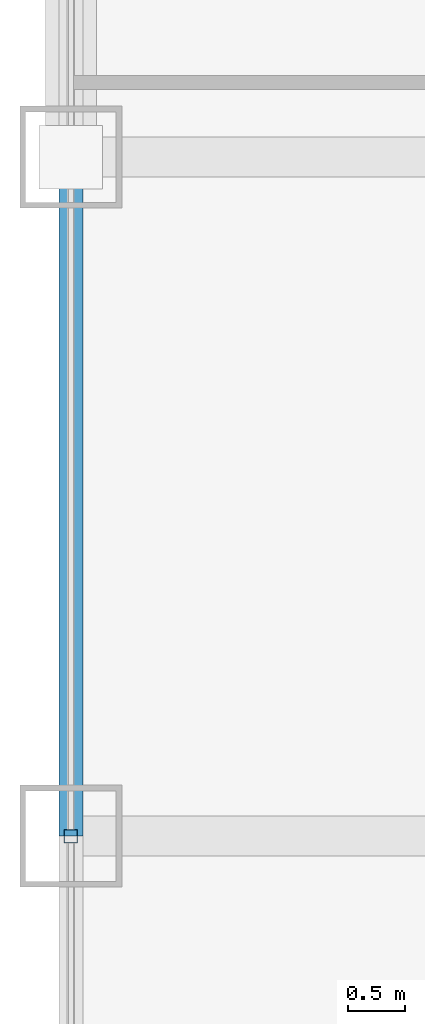
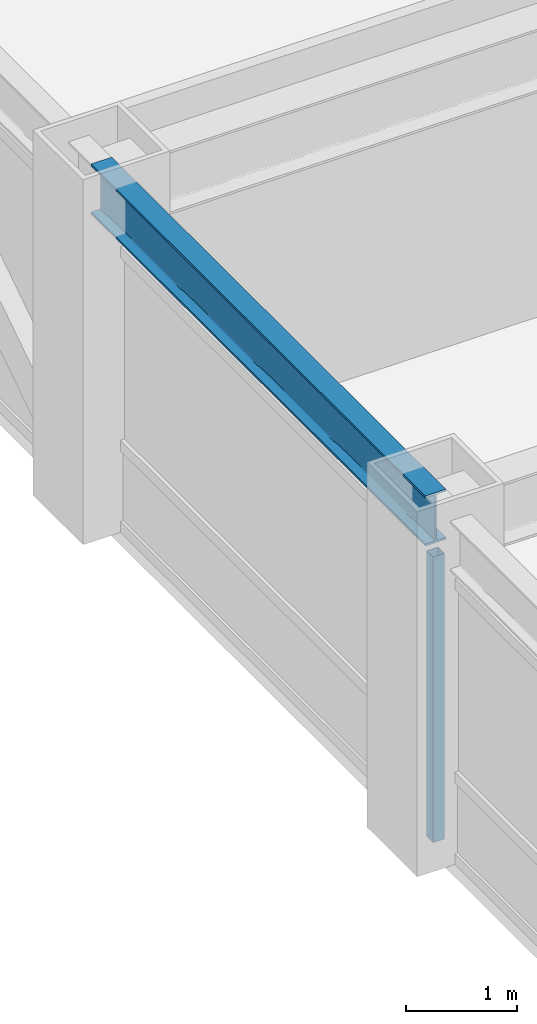
# One storey, part 6 of 22: 1 beam, 1 member, 1 element without a shape of its own.
"""IFC4 building model written with IfcOpenShell, lengths in metres."""

import ifcopenshell
import ifcopenshell.guid

model = None  # the IFC model being written
_history = None  # IfcOwnerHistory: only IFC2X3 demands one
_inside = {}  # id of a spatial element -> (the spatial element, [elements in it])
_under = {}  # id of a project, library or spatial element -> (it, [spatial elements below it])
_declared = {}  # id of a project -> (the project, [libraries it declares])
_typed = {}  # id of a type object -> (the type object, [elements of that type])
_made_of = {}  # id of a material, layer set ... -> (it, [elements and type objects made of it])


def new_model(schema):
    """Start an empty IFC model of exactly this schema.

    Asked for "IFC4X3", IfcOpenShell would pick the latest addendum, in which some entities
    have other attributes; the version numbers below select the first issue.
    IFC2X3 requires an IfcOwnerHistory on every rooted entity: one is made here for all.
    """
    global model, _history
    if schema == "IFC4X3":
        model = ifcopenshell.file(schema_version=(4, 3, 0, 0))
    else:
        model = ifcopenshell.file(schema=schema)
    _inside.clear()
    _under.clear()
    _declared.clear()
    _typed.clear()
    _made_of.clear()
    _history = None
    if model.schema == "IFC2X3":
        org = make("IfcOrganization", Name="unknown")
        user = make(
            "IfcPersonAndOrganization",
            ThePerson=make("IfcPerson", FamilyName="unknown"),
            TheOrganization=org,
        )
        app = make(
            "IfcApplication",
            ApplicationDeveloper=org,
            Version="unknown",
            ApplicationFullName="unknown",
            ApplicationIdentifier="unknown",
        )
        _history = make(
            "IfcOwnerHistory",
            OwningUser=user,
            OwningApplication=app,
            ChangeAction="ADDED",
            CreationDate=0,
        )
    return model


def make(cls, **values):
    """One entity of the class cls with the attributes given. An attribute that is None is left unset."""
    return model.create_entity(
        cls, **{name: value for name, value in values.items() if value is not None}
    )


def rooted(cls, **values):
    """An entity with a GlobalId (a new one), such as an element, a storey or a relation."""
    return make(cls, GlobalId=ifcopenshell.guid.new(), OwnerHistory=_history, **values)


def si_unit(unit_type, name, prefix=None):
    """IfcSIUnit, for example si_unit("LENGTHUNIT", "METRE", prefix="MILLI")."""
    return make("IfcSIUnit", UnitType=unit_type, Prefix=prefix, Name=name)


def assignment(units):
    """IfcUnitAssignment: the units of a project."""
    return None if units is None else make("IfcUnitAssignment", Units=units)


def point(xyz):
    """IfcCartesianPoint."""
    return None if xyz is None else make("IfcCartesianPoint", Coordinates=xyz)


def direction(xyz):
    """IfcDirection."""
    return None if xyz is None else make("IfcDirection", DirectionRatios=xyz)


def frame(location, z_axis=None, x_axis=None):
    """IfcAxis2Placement3D, a coordinate frame: its origin and axes. An axis left out is left unset."""
    return make(
        "IfcAxis2Placement3D",
        Location=point(location),
        Axis=direction(z_axis),
        RefDirection=direction(x_axis),
    )


def frame_2d(location, x_axis=None):
    """IfcAxis2Placement2D, a coordinate frame in the plane: its origin and x axis."""
    return make(
        "IfcAxis2Placement2D", Location=point(location), RefDirection=direction(x_axis)
    )


def origin():
    """The frame at (0, 0, 0) with its axes left unset."""
    return frame((0.0, 0.0, 0.0))


def origin_2d():
    """The frame at (0, 0) in the plane with its x axis left unset."""
    return frame_2d((0.0, 0.0))


def place(relative_to, where):
    """IfcLocalPlacement: puts the frame where relative to a parent placement (None: the world)."""
    return make(
        "IfcLocalPlacement", PlacementRelTo=relative_to, RelativePlacement=where
    )


def context(
    kind, dimensions, precision=None, world=None, true_north=None, identifier=None
):
    """IfcGeometricRepresentationContext, for example the 3D "Model" context."""
    return make(
        "IfcGeometricRepresentationContext",
        ContextIdentifier=identifier,
        ContextType=kind,
        CoordinateSpaceDimension=dimensions,
        Precision=precision,
        WorldCoordinateSystem=world,
        TrueNorth=true_north,
    )


def subcontext(parent, identifier, kind, view, scale=None):
    """IfcGeometricRepresentationSubContext, for example "Body" below "Model"."""
    return make(
        "IfcGeometricRepresentationSubContext",
        ContextIdentifier=identifier,
        ContextType=kind,
        ParentContext=parent,
        TargetScale=scale,
        TargetView=view,
    )


def project(units=None, contexts=None):
    """IfcProject with its units and contexts."""
    return rooted(
        "IfcProject",
        Name="project",
        RepresentationContexts=contexts,
        UnitsInContext=assignment(units),
    )


def spatial(cls, under=None, at=None, **own):
    """A site, building, storey or space (cls), placed at a placement, below another one or the project."""
    s = rooted(cls, ObjectPlacement=at, **own)
    if under is not None:
        _under.setdefault(under.id(), (under, []))[1].append(s)
    return s


def profile(cls, at=None, kind="AREA", **sizes):
    """A parametric profile (cls). Its sizes go by their IFC names, for example OverallWidth=200.0."""
    return make(cls, ProfileType=kind, Position=at, **sizes)


def hollow_rectangle(**sizes):
    """IfcRectangleHollowProfileDef."""
    return profile("IfcRectangleHollowProfileDef", **sizes)


def i_section(**sizes):
    """IfcIShapeProfileDef."""
    return profile("IfcIShapeProfileDef", **sizes)


def extrude(swept, where, along, depth):
    """IfcExtrudedAreaSolid: the profile swept, set in the frame where, extruded along a direction by depth."""
    return make(
        "IfcExtrudedAreaSolid",
        SweptArea=swept,
        Position=where,
        ExtrudedDirection=direction(along),
        Depth=depth,
    )


def shape(context_of_items, identifier, shape_type, items):
    """IfcShapeRepresentation: the items that make up one representation, for example the "Body"."""
    return make(
        "IfcShapeRepresentation",
        ContextOfItems=context_of_items,
        RepresentationIdentifier=identifier,
        RepresentationType=shape_type,
        Items=items,
    )


def source(mapping_origin, context_of_items, identifier, shape_type, items):
    """IfcRepresentationMap: a shape defined once, which mapped items show again and again."""
    return make(
        "IfcRepresentationMap",
        MappingOrigin=mapping_origin,
        MappedRepresentation=shape(context_of_items, identifier, shape_type, items),
    )


def transform(
    local_origin,
    x_axis=None,
    y_axis=None,
    z_axis=None,
    scale=None,
    scale2=None,
    scale3=None,
    uniform=True,
):
    """IfcCartesianTransformationOperator3D, or its non-uniform kind. x_axis, y_axis, z_axis: its Axis1, 2, 3."""
    if uniform:
        return make(
            "IfcCartesianTransformationOperator3D",
            Axis1=direction(x_axis),
            Axis2=direction(y_axis),
            LocalOrigin=point(local_origin),
            Scale=scale,
            Axis3=direction(z_axis),
        )
    return make(
        "IfcCartesianTransformationOperator3DnonUniform",
        Axis1=direction(x_axis),
        Axis2=direction(y_axis),
        LocalOrigin=point(local_origin),
        Scale=scale,
        Axis3=direction(z_axis),
        Scale2=scale2,
        Scale3=scale3,
    )


def mapped(mapping_source, mapping_target):
    """IfcMappedItem: shows the shape of a source again, moved by a transform."""
    return make(
        "IfcMappedItem", MappingSource=mapping_source, MappingTarget=mapping_target
    )


def material(Name=None, Category=None):
    """IfcMaterial."""
    return make("IfcMaterial", Name=Name, Category=Category)


def material_profile(
    of_material, cross_section, Name=None, Category=None, Priority=None
):
    """IfcMaterialProfile: a cross section and its material."""
    return make(
        "IfcMaterialProfile",
        Name=Name,
        Material=of_material,
        Profile=cross_section,
        Priority=Priority,
        Category=Category,
    )


def profile_set(profiles, Name=None, composite=None):
    """IfcMaterialProfileSet."""
    return make(
        "IfcMaterialProfileSet",
        Name=Name,
        MaterialProfiles=profiles,
        CompositeProfile=composite,
    )


def made_of(thing, what):
    """Note that an element or type object is made of a material, layer set ...; save() writes the relation."""
    if what is not None:
        _made_of.setdefault(what.id(), (what, []))[1].append(thing)
    return thing


def type_object(cls, material=None, **own):
    """A type object (cls), such as IfcWallType, which elements share."""
    return made_of(rooted(cls, **own), material)


def element(
    cls,
    number,
    at=None,
    inside=None,
    cuts=None,
    type_object=None,
    material=None,
    context=None,
    identifier="Body",
    shape_type=None,
    held_by="IfcProductDefinitionShape",
    body=None,
    shapes=None,
    **own,
):
    """One element of the class cls, such as IfcWall. Its Tag is "e" and its number.

    at: its placement. inside: the storey or other place that contains it. cuts: it is an
    opening in that element (IfcRelVoidsElement). A single representation is given by context,
    identifier, shape_type and body (its items); several are given by shapes. held_by: the class
    of the entity that holds the representations. save() writes the other relations.
    """
    e = rooted(cls, Tag="e%d" % number, ObjectPlacement=at, **own)
    if body is not None:
        shapes = [shape(context, identifier, shape_type, body)]
    if shapes is not None:
        e.Representation = make(held_by, Representations=shapes)
    if inside is not None:
        _inside.setdefault(inside.id(), (inside, []))[1].append(e)
    if cuts is not None:
        rooted(
            "IfcRelVoidsElement", RelatingBuildingElement=cuts, RelatedOpeningElement=e
        )
    if type_object is not None:
        _typed.setdefault(type_object.id(), (type_object, []))[1].append(e)
    return made_of(e, material)


def aggregate(whole, parts):
    """IfcRelAggregates: a whole, such as a stair, and the parts it consists of."""
    return rooted("IfcRelAggregates", RelatingObject=whole, RelatedObjects=parts)


def save(model, path):
    """Write the relations noted so far, then the file.

    IfcRelAggregates (storeys below a building ...), IfcRelContainedInSpatialStructure (elements
    in a storey), IfcRelDefinesByType, IfcRelAssociatesMaterial and IfcRelDeclares: one each for
    every whole, place, type object, material and project.
    """
    for whole, parts in _under.values():
        aggregate(whole, parts)
    for where, things in _inside.values():
        rooted(
            "IfcRelContainedInSpatialStructure",
            RelatedElements=things,
            RelatingStructure=where,
        )
    for kind, things in _typed.values():
        rooted("IfcRelDefinesByType", RelatedObjects=things, RelatingType=kind)
    for what, things in _made_of.values():
        rooted("IfcRelAssociatesMaterial", RelatedObjects=things, RelatingMaterial=what)
    for by, libraries in _declared.values():
        rooted("IfcRelDeclares", RelatingContext=by, RelatedDefinitions=libraries)
    model.write(path)


model = new_model("IFC4")

# Units and contexts
model_context = context("Model", 3, precision=1e-05, world=origin(), true_north=direction((0.0, 1.0)))
body_context = subcontext(model_context, "Body", "Model", "MODEL_VIEW")
ifc_project = project(units=[si_unit("LENGTHUNIT", "METRE"), si_unit("AREAUNIT", "SQUARE_METRE"), si_unit("VOLUMEUNIT", "CUBIC_METRE"), si_unit("PLANEANGLEUNIT", "RADIAN"), si_unit("MASSUNIT", "GRAM", prefix="KILO")], contexts=[model_context])

# Site, building, storey
site_placement = place(None, origin())
site = spatial("IfcSite", under=ifc_project, at=site_placement, CompositionType="ELEMENT")
building_placement = place(site_placement, origin())
building = spatial("IfcBuilding", under=site, at=building_placement, Name="Khorayat Bourse Tower", CompositionType="ELEMENT")
storey_placement = place(building_placement, frame((0.0, 0.0, 289.5)))
storey = spatial("IfcBuildingStorey", under=building, at=storey_placement, Name="L68", CompositionType="ELEMENT", Elevation=289.5)

# Beam
ifc_material_1 = material(Name="Steel ASTM A992 Grade 50", Category="steel")
ifc_material_profile_1 = material_profile(ifc_material_1, i_section(OverallWidth=0.214111328125, OverallDepth=0.549072265625, WebThickness=0.0146484375, FlangeThickness=0.023681640625, FilletRadius=0.013916015625, at=origin_2d()), Name="W530X138")
ifc_profile_set_1 = profile_set([ifc_material_profile_1], Name="Steel ASTM A992 Grade 50")
beam_type = type_object("IfcBeamType", Name="BM-SPAN-530", PredefinedType="SPANDREL", material=ifc_profile_set_1)
shared_shape_1 = source(origin(), body_context, "Body", "SweptSolid", [
    extrude(i_section(OverallWidth=0.214111328125, OverallDepth=0.549072265625, WebThickness=0.0146484375, FlangeThickness=0.023681640625, FilletRadius=0.013916015625, at=origin_2d()), origin(), (0.0, 0.0, 1.0), 6.0),
])
beam_placement = place(storey_placement, frame((-28.0, 0.0, 3.505615234375), z_axis=(0.0, 1.0, 0.0), x_axis=(-1.0, 0.0, 0.0)))
element("IfcBeam", 1, at=beam_placement, inside=storey, type_object=beam_type, Name="L68 BM-SPAN-530 BM-L68-SPN-057", PredefinedType="SPANDREL", context=body_context, shape_type="MappedRepresentation", body=[
    mapped(shared_shape_1, transform((0.0, 0.0, 0.0), scale=1.0)),
])

# Curtain wall, member
ifc_material_2 = material(Name="Aluminium EN AW-6063 T6", Category="aluminium")
curtain_wall_type = type_object("IfcCurtainWallType", Name="CW-SYS-04", PredefinedType="NOTDEFINED", material=ifc_material_2)
curtain_wall_placement = place(storey_placement, origin())
curtain_wall = element("IfcCurtainWall", 2, at=curtain_wall_placement, inside=storey, type_object=curtain_wall_type, Name="L68 Curtain Wall CW-L68-W1", PredefinedType="NOTDEFINED")
ifc_material_profile_2 = material_profile(ifc_material_2, hollow_rectangle(XDim=0.1201171875, YDim=0.1201171875, WallThickness=0.0048828125, at=origin_2d()), Name="ALU 120x120x5")
ifc_profile_set_2 = profile_set([ifc_material_profile_2], Name="Aluminium EN AW-6063 T6")
member_type = type_object("IfcMemberType", Name="CWM-VERT-120", PredefinedType="MULLION", material=ifc_profile_set_2)
shared_shape_2 = source(origin(), body_context, "Body", "SweptSolid", [
    extrude(hollow_rectangle(XDim=0.1201171875, YDim=0.1201171875, WallThickness=0.0048828125, at=origin_2d()), origin(), (0.0, 0.0, 1.0), 3.1298828125),
])
member_placement = place(storey_placement, frame((-28.0, 0.0, 0.0), z_axis=(0.0, 0.0, 1.0), x_axis=(-1.0, 0.0, 0.0)))
member = element("IfcMember", 3, at=member_placement, type_object=member_type, Name="CW-L68-W1 Vertical Mullion 2", PredefinedType="MULLION", context=body_context, shape_type="MappedRepresentation", body=[
    mapped(shared_shape_2, transform((0.0, 0.0, 0.0), scale=1.0)),
])
aggregate(curtain_wall, [member])

save(model, "model.ifc")
